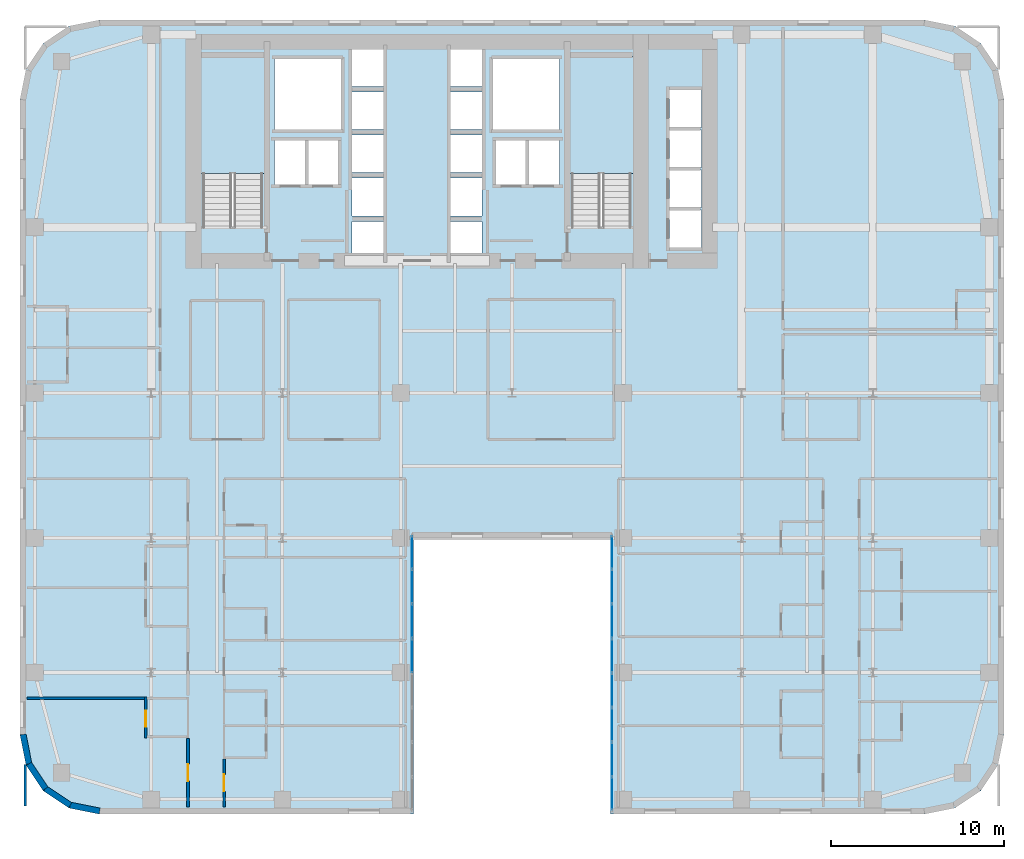
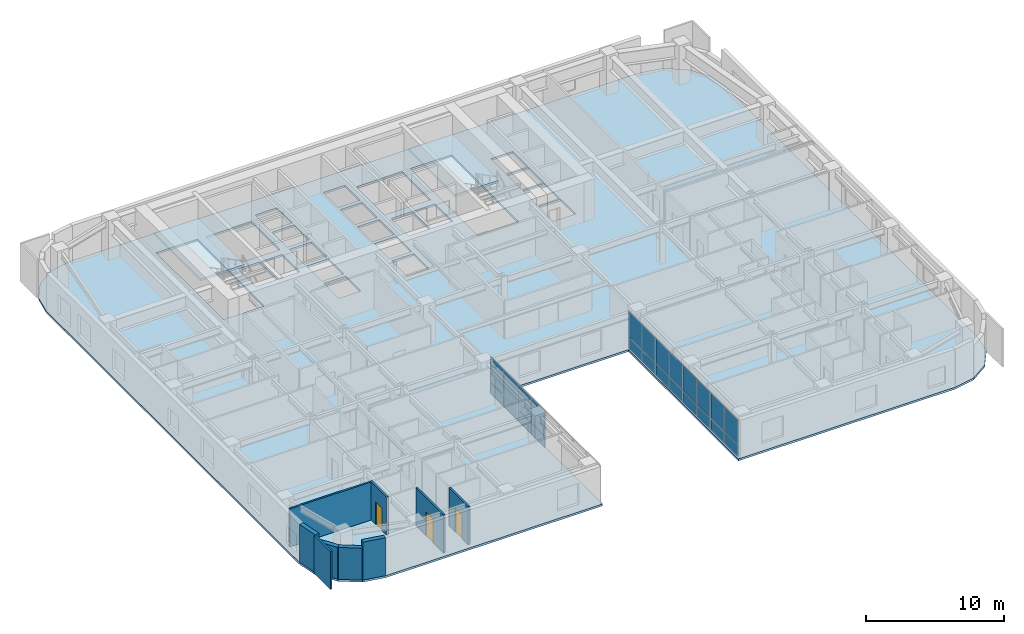
# One storey, part 9 of 17: 24 plates, 9 walls, 3 doors, 3 slabs, 3 openings, 4 elements without a shape of their own.
"""IFC4 building model written with IfcOpenShell, lengths in metres."""

from ifc_helpers import new_model, si_unit, direction, frame, frame_2d, origin, origin_2d, place, context, subcontext, project, spatial, polyline, rectangle, outline, extrude, source, transform, mapped, material, layer, layer_set, type_object, type_shapes, element, fill, aggregate, save


model = new_model("IFC4")

# Units and contexts
model_context = context("Model", 3, precision=1e-05, world=origin(), true_north=direction((0.0, 1.0)))
body_context = subcontext(model_context, "Body", "Model", "MODEL_VIEW")
ifc_project = project(units=[si_unit("LENGTHUNIT", "METRE"), si_unit("AREAUNIT", "SQUARE_METRE"), si_unit("VOLUMEUNIT", "CUBIC_METRE"), si_unit("PLANEANGLEUNIT", "RADIAN"), si_unit("MASSUNIT", "GRAM", prefix="KILO")], contexts=[model_context])

# Site, building, storey
site_placement = place(None, origin())
site = spatial("IfcSite", under=ifc_project, at=site_placement, CompositionType="ELEMENT")
building_placement = place(site_placement, origin())
building = spatial("IfcBuilding", under=site, at=building_placement, Name="Tolvann Quenvar Hotel", CompositionType="ELEMENT")
storey_placement = place(building_placement, frame((0.0, 0.0, 49.75)))
storey = spatial("IfcBuildingStorey", under=building, at=storey_placement, Name="L11", CompositionType="ELEMENT", Elevation=49.75)

# Stair, slab
ifc_material_1 = material(Name="Concrete N40 (40 MPa)", Category="concrete")
stair_type = type_object("IfcStairType", Name="STAIR", PredefinedType="HALF_TURN_STAIR", material=ifc_material_1)
stair_1_placement = place(storey_placement, origin())
stair_1 = element("IfcStair", 1, at=stair_1_placement, inside=storey, type_object=stair_type, Name="L11 ST-C1", PredefinedType="HALF_TURN_STAIR")
ifc_layer_1 = layer(ifc_material_1, 0.199951171875)
ifc_layer_set_1 = layer_set([ifc_layer_1], Name="Concrete N40 (40 MPa)")
slab_type_1 = type_object("IfcSlabType", Name="SLAB_LANDING", PredefinedType="LANDING", material=ifc_layer_set_1)
slab_1_placement = place(storey_placement, frame((0.0, 0.0, 1.574951171875)))
slab_1 = element("IfcSlab", 2, at=slab_1_placement, type_object=slab_type_1, Name="ST-C1 landing 1", PredefinedType="LANDING", context=body_context, shape_type="SweptSolid", body=[
    extrude(outline(polyline([(14.179931640625, 37.10498046875), (14.179931640625, 43.8798828125), (10.469970703125, 43.8798828125), (10.469970703125, 37.10498046875), (14.179931640625, 37.10498046875)])), origin(), (0.0, 0.0, 1.0), 0.199951171875),
])
aggregate(stair_1, [slab_1])

stair_2_placement = place(storey_placement, origin())
stair_2 = element("IfcStair", 3, at=stair_2_placement, inside=storey, type_object=stair_type, Name="L11 ST-C2", PredefinedType="HALF_TURN_STAIR")
slab_2_placement = place(storey_placement, frame((0.0, 0.0, 1.574951171875)))
slab_2 = element("IfcSlab", 4, at=slab_2_placement, type_object=slab_type_1, Name="ST-C2 landing 1", PredefinedType="LANDING", context=body_context, shape_type="SweptSolid", body=[
    extrude(outline(polyline([(35.530029296875, 37.10498046875), (35.530029296875, 43.8798828125), (31.820068359375, 43.8798828125), (31.820068359375, 37.10498046875), (35.530029296875, 37.10498046875)])), origin(), (0.0, 0.0, 1.0), 0.199951171875),
])
aggregate(stair_2, [slab_2])

# Slab
ifc_layer_2 = layer(ifc_material_1, 0.179931640625)
ifc_layer_set_2 = layer_set([ifc_layer_2], Name="Concrete N40 (40 MPa)")
slab_type_2 = type_object("IfcSlabType", Name="SLAB_TWR_180", PredefinedType="FLOOR", material=ifc_layer_set_2)
slab_3_placement = place(storey_placement, frame((0.0, 0.0, -0.179931640625)))
element("IfcSlab", 5, at=slab_3_placement, inside=storey, type_object=slab_type_2, Name="Level L11 Structural Floor Slab", PredefinedType="FLOOR", context=body_context, shape_type="SweptSolid", body=[
    extrude(outline(polyline([(0.0, 4.60009765625), (0.35009765625, 2.839599609375), (1.347412109375, 1.347412109375), (2.839599609375, 0.35009765625), (4.60009765625, 0.0), (22.800048828125, 0.0), (22.800048828125, 16.0), (34.199951171875, 16.0), (34.199951171875, 0.0), (52.39990234375, 0.0), (54.160400390625, 0.35009765625), (55.652587890625, 1.347412109375), (56.64990234375, 2.839599609375), (57.0, 4.60009765625), (57.0, 41.39990234375), (56.64990234375, 43.160400390625), (55.652587890625, 44.652587890625), (54.160400390625, 45.64990234375), (52.39990234375, 46.0), (4.60009765625, 46.0), (2.839599609375, 45.64990234375), (1.347412109375, 44.652587890625), (0.35009765625, 43.160400390625), (0.0, 41.39990234375), (0.0, 4.60009765625)]), holes=[polyline([(37.6298828125, 41.949951171875), (39.469970703125, 41.949951171875), (39.469970703125, 39.77001953125), (37.6298828125, 39.77001953125), (37.6298828125, 41.949951171875)]), polyline([(37.6298828125, 39.6298828125), (39.469970703125, 39.6298828125), (39.469970703125, 37.449951171875), (37.6298828125, 37.449951171875), (37.6298828125, 39.6298828125)]), polyline([(37.6298828125, 37.31005859375), (39.469970703125, 37.31005859375), (39.469970703125, 35.1298828125), (37.6298828125, 35.1298828125), (37.6298828125, 37.31005859375)]), polyline([(37.6298828125, 34.989990234375), (39.469970703125, 34.989990234375), (39.469970703125, 32.81005859375), (37.6298828125, 32.81005859375), (37.6298828125, 34.989990234375)]), polyline([(31.949951171875, 43.800048828125), (35.39990234375, 43.800048828125), (35.39990234375, 34.02490234375), (31.949951171875, 34.02490234375), (31.949951171875, 43.800048828125)]), polyline([(31.25, 39.02001953125), (31.25, 36.47998046875), (29.449951171875, 36.47998046875), (29.449951171875, 39.02001953125), (31.25, 39.02001953125)]), polyline([(31.25, 43.75), (31.25, 39.64990234375), (27.39990234375, 39.64990234375), (27.39990234375, 43.75), (31.25, 43.75)]), polyline([(27.574951171875, 39.02001953125), (29.324951171875, 39.02001953125), (29.324951171875, 36.47998046875), (27.574951171875, 36.47998046875), (27.574951171875, 39.02001953125)]), polyline([(26.77001953125, 36.840087890625), (26.77001953125, 34.659912109375), (24.929931640625, 34.659912109375), (24.929931640625, 36.840087890625), (26.77001953125, 36.840087890625)]), polyline([(26.77001953125, 44.340087890625), (26.77001953125, 42.159912109375), (24.929931640625, 42.159912109375), (24.929931640625, 44.340087890625), (26.77001953125, 44.340087890625)]), polyline([(26.77001953125, 41.840087890625), (26.77001953125, 39.659912109375), (24.929931640625, 39.659912109375), (24.929931640625, 41.840087890625), (26.77001953125, 41.840087890625)]), polyline([(26.77001953125, 39.340087890625), (26.77001953125, 37.159912109375), (24.929931640625, 37.159912109375), (24.929931640625, 39.340087890625), (26.77001953125, 39.340087890625)]), polyline([(24.929931640625, 34.340087890625), (26.77001953125, 34.340087890625), (26.77001953125, 32.159912109375), (24.929931640625, 32.159912109375), (24.929931640625, 34.340087890625)]), polyline([(21.070068359375, 44.340087890625), (21.070068359375, 42.159912109375), (19.22998046875, 42.159912109375), (19.22998046875, 44.340087890625), (21.070068359375, 44.340087890625)]), polyline([(19.22998046875, 41.840087890625), (21.070068359375, 41.840087890625), (21.070068359375, 39.659912109375), (19.22998046875, 39.659912109375), (19.22998046875, 41.840087890625)]), polyline([(21.070068359375, 39.340087890625), (21.070068359375, 37.159912109375), (19.22998046875, 37.159912109375), (19.22998046875, 39.340087890625), (21.070068359375, 39.340087890625)]), polyline([(19.22998046875, 36.840087890625), (21.070068359375, 36.840087890625), (21.070068359375, 34.659912109375), (19.22998046875, 34.659912109375), (19.22998046875, 36.840087890625)]), polyline([(19.22998046875, 34.340087890625), (21.070068359375, 34.340087890625), (21.070068359375, 32.159912109375), (19.22998046875, 32.159912109375), (19.22998046875, 34.340087890625)]), polyline([(18.60009765625, 43.75), (18.60009765625, 39.64990234375), (14.75, 39.64990234375), (14.75, 43.75), (18.60009765625, 43.75)]), polyline([(16.675048828125, 39.02001953125), (18.425048828125, 39.02001953125), (18.425048828125, 36.47998046875), (16.675048828125, 36.47998046875), (16.675048828125, 39.02001953125)]), polyline([(16.550048828125, 39.02001953125), (16.550048828125, 36.47998046875), (14.75, 36.47998046875), (14.75, 39.02001953125), (16.550048828125, 39.02001953125)]), polyline([(10.60009765625, 43.800048828125), (14.050048828125, 43.800048828125), (14.050048828125, 34.02490234375), (10.60009765625, 34.02490234375), (10.60009765625, 43.800048828125)])]), origin(), (0.0, 0.0, 1.0), 0.179931640625),
])

# Curtain wall, plate
ifc_material_2 = material(Name="Thermally broken anodised architectural aluminium 6063-T6 and laminated low-E glass", Category="aluminium")
ifc_layer_3 = layer(ifc_material_2, 0.179931640625)
ifc_layer_set_3 = layer_set([ifc_layer_3], Name="Thermally broken anodised architectural aluminium 6063-T6 and laminated low-E glass")
curtain_wall_type = type_object("IfcCurtainWallType", Name="CW_SYS_SLOT_03", PredefinedType="USERDEFINED", material=ifc_layer_set_3)
curtain_wall_1_placement = place(storey_placement, origin())
curtain_wall_1 = element("IfcCurtainWall", 6, at=curtain_wall_1_placement, inside=storey, type_object=curtain_wall_type, Name="Curtain Wall CW-SLOT-03 (CWR-L11-E05)", ObjectType="UNITISED CURTAIN WALL", PredefinedType="USERDEFINED")
ifc_material_3 = material(Name="Low-iron laminated double glazing with solar-control coating", Category="glass")
ifc_layer_4 = layer(ifc_material_3, 0.028076171875)
ifc_layer_set_4 = layer_set([ifc_layer_4], Name="Low-iron laminated double glazing with solar-control coating")
plate_type = type_object("IfcPlateType", Name="CW_PAN_VISION_28", PredefinedType="CURTAIN_PANEL", material=ifc_layer_set_4)
shared_shape_1 = source(origin(), body_context, "Body", "SweptSolid", [
    extrude(rectangle(XDim=1.89501953125, YDim=0.028076171875, at=origin_2d()), origin(), (0.0, 0.0, 1.0), 0.9599609375),
])
plate_1_placement = place(storey_placement, frame((22.7099609375, 15.157470703125, 0.06005859375), z_axis=(0.0, 0.0, 1.0), x_axis=(0.0, 1.0, 0.0)))
plate_1 = element("IfcPlate", 7, at=plate_1_placement, type_object=plate_type, Name="CW-SLOT-03 panel 8.1", PredefinedType="CURTAIN_PANEL", context=body_context, shape_type="MappedRepresentation", body=[
    mapped(shared_shape_1, transform((0.0, 0.0, 0.0), x_axis=(1.0, 0.0, 0.0), y_axis=(0.0, 1.0, 0.0), z_axis=(0.0, 0.0, 1.0), scale=1.0)),
])

# Curtain wall, plates
curtain_wall_2_placement = place(storey_placement, origin())
curtain_wall_2 = element("IfcCurtainWall", 8, at=curtain_wall_2_placement, inside=storey, type_object=curtain_wall_type, Name="Curtain Wall CW-SLOT-03 (CWR-L11-E07)", ObjectType="UNITISED CURTAIN WALL", PredefinedType="USERDEFINED")
plate_2_placement = place(storey_placement, frame((34.2900390625, 15.157470703125, 0.06005859375), z_axis=(0.0, 0.0, 1.0), x_axis=(0.0, -1.0, 0.0)))
plate_2 = element("IfcPlate", 9, at=plate_2_placement, type_object=plate_type, Name="CW-SLOT-03 panel 1.1", PredefinedType="CURTAIN_PANEL", context=body_context, shape_type="MappedRepresentation", body=[
    mapped(shared_shape_1, transform((0.0, 0.0, 0.0), x_axis=(1.0, 0.0, 0.0), y_axis=(0.0, 1.0, 0.0), z_axis=(0.0, 0.0, 1.0), scale=1.0)),
])
plate_3_placement = place(storey_placement, frame((34.2900390625, 1.1923828125, 0.06005859375), z_axis=(0.0, 0.0, 1.0), x_axis=(0.0, -1.0, 0.0)))
plate_3 = element("IfcPlate", 10, at=plate_3_placement, type_object=plate_type, Name="CW-SLOT-03 panel 8.1", PredefinedType="CURTAIN_PANEL", context=body_context, shape_type="MappedRepresentation", body=[
    mapped(shared_shape_1, transform((0.0, 0.0, 0.0), x_axis=(1.0, 0.0, 0.0), y_axis=(0.0, 1.0, 0.0), z_axis=(0.0, 0.0, 1.0), scale=1.0)),
])

# Plate
shared_shape_2 = source(origin(), body_context, "Body", "SweptSolid", [
    extrude(rectangle(XDim=1.89501953125, YDim=0.028076171875, at=origin_2d()), origin(), (0.0, 0.0, 1.0), 2.22998046875),
])
plate_4_placement = place(storey_placement, frame((22.7099609375, 15.157470703125, 1.080078125), z_axis=(0.0, 0.0, 1.0), x_axis=(0.0, 1.0, 0.0)))
plate_4 = element("IfcPlate", 11, at=plate_4_placement, type_object=plate_type, Name="CW-SLOT-03 panel 8.2", PredefinedType="CURTAIN_PANEL", context=body_context, shape_type="MappedRepresentation", body=[
    mapped(shared_shape_2, transform((0.0, 0.0, 0.0), x_axis=(1.0, 0.0, 0.0), y_axis=(0.0, 1.0, 0.0), z_axis=(0.0, 0.0, 1.0), scale=1.0)),
])

plate_5_placement = place(storey_placement, frame((34.2900390625, 15.157470703125, 1.080078125), z_axis=(0.0, 0.0, 1.0), x_axis=(0.0, -1.0, 0.0)))
plate_5 = element("IfcPlate", 12, at=plate_5_placement, type_object=plate_type, Name="CW-SLOT-03 panel 1.2", PredefinedType="CURTAIN_PANEL", context=body_context, shape_type="MappedRepresentation", body=[
    mapped(shared_shape_2, transform((0.0, 0.0, 0.0), x_axis=(1.0, 0.0, 0.0), y_axis=(0.0, 1.0, 0.0), z_axis=(0.0, 0.0, 1.0), scale=1.0)),
])

plate_6_placement = place(storey_placement, frame((34.2900390625, 1.1923828125, 1.080078125), z_axis=(0.0, 0.0, 1.0), x_axis=(0.0, -1.0, 0.0)))
plate_6 = element("IfcPlate", 13, at=plate_6_placement, type_object=plate_type, Name="CW-SLOT-03 panel 8.2", PredefinedType="CURTAIN_PANEL", context=body_context, shape_type="MappedRepresentation", body=[
    mapped(shared_shape_2, transform((0.0, 0.0, 0.0), x_axis=(1.0, 0.0, 0.0), y_axis=(0.0, 1.0, 0.0), z_axis=(0.0, 0.0, 1.0), scale=1.0)),
])

shared_shape_3 = source(origin(), body_context, "Body", "SweptSolid", [
    extrude(rectangle(XDim=1.929931640625, YDim=0.028076171875, at=origin_2d()), origin(), (0.0, 0.0, 1.0), 0.9599609375),
])
plate_7_placement = place(storey_placement, frame((22.7099609375, 9.175048828125, 0.06005859375), z_axis=(0.0, 0.0, 1.0), x_axis=(0.0, 1.0, 0.0)))
plate_7 = element("IfcPlate", 14, at=plate_7_placement, type_object=plate_type, Name="CW-SLOT-03 panel 5.1", PredefinedType="CURTAIN_PANEL", context=body_context, shape_type="MappedRepresentation", body=[
    mapped(shared_shape_3, transform((0.0, 0.0, 0.0), x_axis=(1.0, 0.0, 0.0), y_axis=(0.0, 1.0, 0.0), z_axis=(0.0, 0.0, 1.0), scale=1.0)),
])

plate_8_placement = place(storey_placement, frame((22.7099609375, 11.175048828125, 0.06005859375), z_axis=(0.0, 0.0, 1.0), x_axis=(0.0, 1.0, 0.0)))
plate_8 = element("IfcPlate", 15, at=plate_8_placement, type_object=plate_type, Name="CW-SLOT-03 panel 6.1", PredefinedType="CURTAIN_PANEL", context=body_context, shape_type="MappedRepresentation", body=[
    mapped(shared_shape_3, transform((0.0, 0.0, 0.0), x_axis=(1.0, 0.0, 0.0), y_axis=(0.0, 1.0, 0.0), z_axis=(0.0, 0.0, 1.0), scale=1.0)),
])

plate_9_placement = place(storey_placement, frame((22.7099609375, 13.175048828125, 0.06005859375), z_axis=(0.0, 0.0, 1.0), x_axis=(0.0, 1.0, 0.0)))
plate_9 = element("IfcPlate", 16, at=plate_9_placement, type_object=plate_type, Name="CW-SLOT-03 panel 7.1", PredefinedType="CURTAIN_PANEL", context=body_context, shape_type="MappedRepresentation", body=[
    mapped(shared_shape_3, transform((0.0, 0.0, 0.0), x_axis=(1.0, 0.0, 0.0), y_axis=(0.0, 1.0, 0.0), z_axis=(0.0, 0.0, 1.0), scale=1.0)),
])

plate_10_placement = place(storey_placement, frame((34.2900390625, 13.175048828125, 0.06005859375), z_axis=(0.0, 0.0, 1.0), x_axis=(0.0, -1.0, 0.0)))
plate_10 = element("IfcPlate", 17, at=plate_10_placement, type_object=plate_type, Name="CW-SLOT-03 panel 2.1", PredefinedType="CURTAIN_PANEL", context=body_context, shape_type="MappedRepresentation", body=[
    mapped(shared_shape_3, transform((0.0, 0.0, 0.0), x_axis=(1.0, 0.0, 0.0), y_axis=(0.0, 1.0, 0.0), z_axis=(0.0, 0.0, 1.0), scale=1.0)),
])

plate_11_placement = place(storey_placement, frame((34.2900390625, 11.175048828125, 0.06005859375), z_axis=(0.0, 0.0, 1.0), x_axis=(0.0, -1.0, 0.0)))
plate_11 = element("IfcPlate", 18, at=plate_11_placement, type_object=plate_type, Name="CW-SLOT-03 panel 3.1", PredefinedType="CURTAIN_PANEL", context=body_context, shape_type="MappedRepresentation", body=[
    mapped(shared_shape_3, transform((0.0, 0.0, 0.0), x_axis=(1.0, 0.0, 0.0), y_axis=(0.0, 1.0, 0.0), z_axis=(0.0, 0.0, 1.0), scale=1.0)),
])

plate_12_placement = place(storey_placement, frame((34.2900390625, 9.175048828125, 0.06005859375), z_axis=(0.0, 0.0, 1.0), x_axis=(0.0, -1.0, 0.0)))
plate_12 = element("IfcPlate", 19, at=plate_12_placement, type_object=plate_type, Name="CW-SLOT-03 panel 4.1", PredefinedType="CURTAIN_PANEL", context=body_context, shape_type="MappedRepresentation", body=[
    mapped(shared_shape_3, transform((0.0, 0.0, 0.0), x_axis=(1.0, 0.0, 0.0), y_axis=(0.0, 1.0, 0.0), z_axis=(0.0, 0.0, 1.0), scale=1.0)),
])

plate_13_placement = place(storey_placement, frame((34.2900390625, 7.175048828125, 0.06005859375), z_axis=(0.0, 0.0, 1.0), x_axis=(0.0, -1.0, 0.0)))
plate_13 = element("IfcPlate", 20, at=plate_13_placement, type_object=plate_type, Name="CW-SLOT-03 panel 5.1", PredefinedType="CURTAIN_PANEL", context=body_context, shape_type="MappedRepresentation", body=[
    mapped(shared_shape_3, transform((0.0, 0.0, 0.0), x_axis=(1.0, 0.0, 0.0), y_axis=(0.0, 1.0, 0.0), z_axis=(0.0, 0.0, 1.0), scale=1.0)),
])

plate_14_placement = place(storey_placement, frame((34.2900390625, 5.175048828125, 0.06005859375), z_axis=(0.0, 0.0, 1.0), x_axis=(0.0, -1.0, 0.0)))
plate_14 = element("IfcPlate", 21, at=plate_14_placement, type_object=plate_type, Name="CW-SLOT-03 panel 6.1", PredefinedType="CURTAIN_PANEL", context=body_context, shape_type="MappedRepresentation", body=[
    mapped(shared_shape_3, transform((0.0, 0.0, 0.0), x_axis=(1.0, 0.0, 0.0), y_axis=(0.0, 1.0, 0.0), z_axis=(0.0, 0.0, 1.0), scale=1.0)),
])

plate_15_placement = place(storey_placement, frame((34.2900390625, 3.175048828125, 0.06005859375), z_axis=(0.0, 0.0, 1.0), x_axis=(0.0, -1.0, 0.0)))
plate_15 = element("IfcPlate", 22, at=plate_15_placement, type_object=plate_type, Name="CW-SLOT-03 panel 7.1", PredefinedType="CURTAIN_PANEL", context=body_context, shape_type="MappedRepresentation", body=[
    mapped(shared_shape_3, transform((0.0, 0.0, 0.0), x_axis=(1.0, 0.0, 0.0), y_axis=(0.0, 1.0, 0.0), z_axis=(0.0, 0.0, 1.0), scale=1.0)),
])

shared_shape_4 = source(origin(), body_context, "Body", "SweptSolid", [
    extrude(rectangle(XDim=1.929931640625, YDim=0.028076171875, at=origin_2d()), origin(), (0.0, 0.0, 1.0), 2.22998046875),
])
type_shapes(plate_type, [shared_shape_1, shared_shape_2, shared_shape_3, shared_shape_4])
plate_16_placement = place(storey_placement, frame((22.7099609375, 9.175048828125, 1.080078125), z_axis=(0.0, 0.0, 1.0), x_axis=(0.0, 1.0, 0.0)))
plate_16 = element("IfcPlate", 23, at=plate_16_placement, type_object=plate_type, Name="CW-SLOT-03 panel 5.2", PredefinedType="CURTAIN_PANEL", context=body_context, shape_type="MappedRepresentation", body=[
    mapped(shared_shape_4, transform((0.0, 0.0, 0.0), x_axis=(1.0, 0.0, 0.0), y_axis=(0.0, 1.0, 0.0), z_axis=(0.0, 0.0, 1.0), scale=1.0)),
])

plate_17_placement = place(storey_placement, frame((22.7099609375, 11.175048828125, 1.080078125), z_axis=(0.0, 0.0, 1.0), x_axis=(0.0, 1.0, 0.0)))
plate_17 = element("IfcPlate", 24, at=plate_17_placement, type_object=plate_type, Name="CW-SLOT-03 panel 6.2", PredefinedType="CURTAIN_PANEL", context=body_context, shape_type="MappedRepresentation", body=[
    mapped(shared_shape_4, transform((0.0, 0.0, 0.0), x_axis=(1.0, 0.0, 0.0), y_axis=(0.0, 1.0, 0.0), z_axis=(0.0, 0.0, 1.0), scale=1.0)),
])

plate_18_placement = place(storey_placement, frame((22.7099609375, 13.175048828125, 1.080078125), z_axis=(0.0, 0.0, 1.0), x_axis=(0.0, 1.0, 0.0)))
plate_18 = element("IfcPlate", 25, at=plate_18_placement, type_object=plate_type, Name="CW-SLOT-03 panel 7.2", PredefinedType="CURTAIN_PANEL", context=body_context, shape_type="MappedRepresentation", body=[
    mapped(shared_shape_4, transform((0.0, 0.0, 0.0), x_axis=(1.0, 0.0, 0.0), y_axis=(0.0, 1.0, 0.0), z_axis=(0.0, 0.0, 1.0), scale=1.0)),
])

aggregate(curtain_wall_1, [plate_7, plate_16, plate_8, plate_17, plate_9, plate_18, plate_1, plate_4])

plate_19_placement = place(storey_placement, frame((34.2900390625, 13.175048828125, 1.080078125), z_axis=(0.0, 0.0, 1.0), x_axis=(0.0, -1.0, 0.0)))
plate_19 = element("IfcPlate", 26, at=plate_19_placement, type_object=plate_type, Name="CW-SLOT-03 panel 2.2", PredefinedType="CURTAIN_PANEL", context=body_context, shape_type="MappedRepresentation", body=[
    mapped(shared_shape_4, transform((0.0, 0.0, 0.0), x_axis=(1.0, 0.0, 0.0), y_axis=(0.0, 1.0, 0.0), z_axis=(0.0, 0.0, 1.0), scale=1.0)),
])

plate_20_placement = place(storey_placement, frame((34.2900390625, 11.175048828125, 1.080078125), z_axis=(0.0, 0.0, 1.0), x_axis=(0.0, -1.0, 0.0)))
plate_20 = element("IfcPlate", 27, at=plate_20_placement, type_object=plate_type, Name="CW-SLOT-03 panel 3.2", PredefinedType="CURTAIN_PANEL", context=body_context, shape_type="MappedRepresentation", body=[
    mapped(shared_shape_4, transform((0.0, 0.0, 0.0), x_axis=(1.0, 0.0, 0.0), y_axis=(0.0, 1.0, 0.0), z_axis=(0.0, 0.0, 1.0), scale=1.0)),
])

plate_21_placement = place(storey_placement, frame((34.2900390625, 9.175048828125, 1.080078125), z_axis=(0.0, 0.0, 1.0), x_axis=(0.0, -1.0, 0.0)))
plate_21 = element("IfcPlate", 28, at=plate_21_placement, type_object=plate_type, Name="CW-SLOT-03 panel 4.2", PredefinedType="CURTAIN_PANEL", context=body_context, shape_type="MappedRepresentation", body=[
    mapped(shared_shape_4, transform((0.0, 0.0, 0.0), x_axis=(1.0, 0.0, 0.0), y_axis=(0.0, 1.0, 0.0), z_axis=(0.0, 0.0, 1.0), scale=1.0)),
])

plate_22_placement = place(storey_placement, frame((34.2900390625, 7.175048828125, 1.080078125), z_axis=(0.0, 0.0, 1.0), x_axis=(0.0, -1.0, 0.0)))
plate_22 = element("IfcPlate", 29, at=plate_22_placement, type_object=plate_type, Name="CW-SLOT-03 panel 5.2", PredefinedType="CURTAIN_PANEL", context=body_context, shape_type="MappedRepresentation", body=[
    mapped(shared_shape_4, transform((0.0, 0.0, 0.0), x_axis=(1.0, 0.0, 0.0), y_axis=(0.0, 1.0, 0.0), z_axis=(0.0, 0.0, 1.0), scale=1.0)),
])

plate_23_placement = place(storey_placement, frame((34.2900390625, 5.175048828125, 1.080078125), z_axis=(0.0, 0.0, 1.0), x_axis=(0.0, -1.0, 0.0)))
plate_23 = element("IfcPlate", 30, at=plate_23_placement, type_object=plate_type, Name="CW-SLOT-03 panel 6.2", PredefinedType="CURTAIN_PANEL", context=body_context, shape_type="MappedRepresentation", body=[
    mapped(shared_shape_4, transform((0.0, 0.0, 0.0), x_axis=(1.0, 0.0, 0.0), y_axis=(0.0, 1.0, 0.0), z_axis=(0.0, 0.0, 1.0), scale=1.0)),
])

plate_24_placement = place(storey_placement, frame((34.2900390625, 3.175048828125, 1.080078125), z_axis=(0.0, 0.0, 1.0), x_axis=(0.0, -1.0, 0.0)))
plate_24 = element("IfcPlate", 31, at=plate_24_placement, type_object=plate_type, Name="CW-SLOT-03 panel 7.2", PredefinedType="CURTAIN_PANEL", context=body_context, shape_type="MappedRepresentation", body=[
    mapped(shared_shape_4, transform((0.0, 0.0, 0.0), x_axis=(1.0, 0.0, 0.0), y_axis=(0.0, 1.0, 0.0), z_axis=(0.0, 0.0, 1.0), scale=1.0)),
])

aggregate(curtain_wall_2, [plate_2, plate_5, plate_10, plate_19, plate_11, plate_20, plate_12, plate_21, plate_13, plate_22, plate_14, plate_23, plate_15, plate_24, plate_3, plate_6])

# Walls
ifc_material_4 = material(Name="Kiln-fired red and buff architectural clay brickwork and terracotta masonry", Category="masonry")
ifc_layer_5 = layer(ifc_material_4, 0.35009765625)
ifc_layer_set_5 = layer_set([ifc_layer_5], Name="Kiln-fired red and buff architectural clay brickwork and terracotta masonry")
wall_type_1 = type_object("IfcWallType", Name="WALL_EXT_BRICK_350", PredefinedType="SOLIDWALL", material=ifc_layer_set_5)
for number, where, z_axis, x_axis, name in (
    (32, (0.514892578125, 2.907958984375, 0.0), (0.0, 0.0, 1.0), (0.55554893791, -0.831483840845, 0.0), "Exterior Chicago Brick Wall L11-E01"),
    (33, (1.473388671875, 1.473388671875, 0.0), (0.0, 0.0, 1.0), (0.831483840845, -0.55554893791, 0.0), "Exterior Chicago Brick Wall L11-E02"),
):
    element("IfcWall", number, at=place(storey_placement, frame(where, z_axis=z_axis, x_axis=x_axis)), inside=storey, type_object=wall_type_1, Name=name, PredefinedType="SOLIDWALL", context=body_context, shape_type="SweptSolid", body=[
        extrude(rectangle(XDim=1.725341796875, YDim=0.35009765625, at=frame_2d((0.86279296875, 0.0))), origin(), (0.0, 0.0, 1.0), 2.83203125),
    ])
for number, where, z_axis, x_axis, name in (
    (34, (2.907958984375, 0.514892578125, 0.0), (0.0, 0.0, 1.0), (0.980800971659, -0.195011420161, 0.0), "Exterior Chicago Brick Wall L11-E03"),
    (35, (0.175048828125, 4.6171875, 0.0), (0.0, 0.0, 1.0), (0.195011420161, -0.980800971659, 0.0), "Exterior Chicago Brick Wall L11-E24"),
):
    element("IfcWall", number, at=place(storey_placement, frame(where, z_axis=z_axis, x_axis=x_axis)), inside=storey, type_object=wall_type_1, Name=name, PredefinedType="SOLIDWALL", context=body_context, shape_type="SweptSolid", body=[
        extrude(rectangle(XDim=1.74267578125, YDim=0.35009765625, at=frame_2d((0.871337890625, 0.0))), origin(), (0.0, 0.0, 1.0), 3.3701171875),
    ])

# Wall, opening, door
ifc_material_5 = material(Name="Acoustic twin-stud fire-rated gypsum plasterboard partition")
ifc_layer_6 = layer(ifc_material_5, 0.14990234375)
ifc_layer_set_6 = layer_set([ifc_layer_6], Name="Acoustic twin-stud fire-rated gypsum plasterboard partition")
wall_type_2 = type_object("IfcWallType", Name="WALL_PART_SUITE_150", PredefinedType="PARTITIONING", material=ifc_layer_set_6)
wall_1_placement = place(storey_placement, frame((7.280029296875, 4.39990234375, 0.0), z_axis=(0.0, 0.0, 1.0), x_axis=(0.0, 1.0, 0.0)))
wall_1 = element("IfcWall", 36, at=wall_1_placement, inside=storey, type_object=wall_type_2, Name="Interior Partition PT-SPC-L11-ENS-WO01-ENT", PredefinedType="PARTITIONING", context=body_context, shape_type="SweptSolid", body=[
    extrude(rectangle(XDim=2.39013671875, YDim=0.14990234375, at=frame_2d((1.195068359375, 0.0))), origin(), (0.0, 0.0, 1.0), 3.3701171875),
])
opening_1_placement = place(wall_1_placement, frame((0.6650390625, 0.0, 0.0)))
opening_1 = element("IfcOpeningElement", 37, at=opening_1_placement, cuts=wall_1, Name="Opening WD-01", PredefinedType="OPENING", context=body_context, shape_type="SweptSolid", body=[
    extrude(rectangle(XDim=0.919921875, YDim=2.010009765625, at=frame_2d((0.4599609375, 1.0048828125))), frame((0.0, 0.0849609375, 0.0), z_axis=(0.0, -1.0, 0.0), x_axis=(1.0, 0.0, 0.0)), (0.0, 0.0, 1.0), 0.169921875),
])
ifc_material_6 = material(Name="Solid-core American oak acoustic fire door leaf in steel frame", Category="steel")
door_type_1 = type_object("IfcDoorType", Name="DOOR_WC_920", OperationType="NOTDEFINED", PredefinedType="DOOR", material=ifc_material_6)
shared_shape_5 = source(origin(), body_context, "Body", "SweptSolid", [
    extrude(rectangle(XDim=0.919921875, YDim=2.010009765625, at=frame_2d((0.4599609375, 1.0048828125))), frame((0.0, 0.02490234375, 0.0), z_axis=(0.0, -1.0, 0.0), x_axis=(1.0, 0.0, 0.0)), (0.0, 0.0, 1.0), 0.050048828125),
])
type_shapes(door_type_1, [shared_shape_5])
door_1_placement = place(opening_1_placement, origin())
door_1 = element("IfcDoor", 38, at=door_1_placement, inside=storey, type_object=door_type_1, Name="Interior Door DOOR-SPC-L11-ENS-WO01", OperationType="SINGLE_SWING_RIGHT", OverallHeight=2.010009765625, OverallWidth=0.919921875, PredefinedType="DOOR", context=body_context, shape_type="MappedRepresentation", body=[
    mapped(shared_shape_5, transform((0.0, 0.0, 0.0), x_axis=(1.0, 0.0, 0.0), y_axis=(0.0, 1.0, 0.0), z_axis=(0.0, 0.0, 1.0), scale=1.0)),
])
fill(opening_1, door_1)

wall_2_placement = place(storey_placement, frame((9.72998046875, 0.405029296875, 0.0), z_axis=(0.0, 0.0, 1.0), x_axis=(0.0, 1.0, 0.0)))
wall_2 = element("IfcWall", 39, at=wall_2_placement, inside=storey, type_object=wall_type_2, Name="Interior Partition PT-SPC-L11-RM-WO01-ENT", PredefinedType="PARTITIONING", context=body_context, shape_type="SweptSolid", body=[
    extrude(rectangle(XDim=3.98486328125, YDim=0.14990234375, at=frame_2d((1.992431640625, 0.0))), origin(), (0.0, 0.0, 1.0), 3.3701171875),
])
opening_2_placement = place(wall_2_placement, frame((1.510009765625, 0.0, 0.0)))
opening_2 = element("IfcOpeningElement", 40, at=opening_2_placement, cuts=wall_2, Name="Opening SD-01", PredefinedType="OPENING", context=body_context, shape_type="SweptSolid", body=[
    extrude(rectangle(XDim=0.97998046875, YDim=2.1201171875, at=frame_2d((0.489990234375, 1.06005859375))), frame((0.0, 0.0849609375, 0.0), z_axis=(0.0, -1.0, 0.0), x_axis=(1.0, 0.0, 0.0)), (0.0, 0.0, 1.0), 0.169921875),
])
door_type_2 = type_object("IfcDoorType", Name="DOOR_SUITE_980", OperationType="NOTDEFINED", PredefinedType="DOOR", material=ifc_material_6)
shared_shape_6 = source(origin(), body_context, "Body", "SweptSolid", [
    extrude(rectangle(XDim=0.97998046875, YDim=2.1201171875, at=frame_2d((0.489990234375, 1.06005859375))), frame((0.0, 0.02490234375, 0.0), z_axis=(0.0, -1.0, 0.0), x_axis=(1.0, 0.0, 0.0)), (0.0, 0.0, 1.0), 0.050048828125),
])
type_shapes(door_type_2, [shared_shape_6])
door_2_placement = place(opening_2_placement, origin())
door_2 = element("IfcDoor", 41, at=door_2_placement, inside=storey, type_object=door_type_2, Name="Interior Door DOOR-SPC-L11-RM-WO01", OperationType="SINGLE_SWING_LEFT", OverallHeight=2.1201171875, OverallWidth=0.97998046875, PredefinedType="DOOR", context=body_context, shape_type="MappedRepresentation", body=[
    mapped(shared_shape_6, transform((0.0, 0.0, 0.0), x_axis=(1.0, 0.0, 0.0), y_axis=(0.0, 1.0, 0.0), z_axis=(0.0, 0.0, 1.0), scale=1.0)),
])
fill(opening_2, door_2)

# Walls
wall_3_placement = place(storey_placement, frame((0.405029296875, 6.719970703125, 0.0), z_axis=(0.0, 0.0, 1.0), x_axis=(1.0, 0.0, 0.0)))
element("IfcWall", 42, at=wall_3_placement, inside=storey, type_object=wall_type_2, Name="Interior Partition PT-SPC-L11-RM-WO01-E5", PredefinedType="PARTITIONING", context=body_context, shape_type="SweptSolid", body=[
    extrude(rectangle(XDim=6.85498046875, YDim=0.14990234375, at=frame_2d((3.427490234375, 0.0))), origin(), (0.0, 0.0, 1.0), 3.3701171875),
])
wall_4_placement = place(storey_placement, frame((0.300048828125, 0.47998046875, 0.0), z_axis=(0.0, 0.0, 1.0), x_axis=(0.0, 1.0, 0.0)))
element("IfcWall", 43, at=wall_4_placement, inside=storey, type_object=wall_type_2, Name="Interior Partition PT-SPC-L11-RM-WO01-E6", PredefinedType="PARTITIONING", context=body_context, shape_type="SweptSolid", body=[
    extrude(rectangle(XDim=2.385009765625, YDim=0.14990234375, at=frame_2d((1.1923828125, 0.0))), origin(), (0.0, 0.0, 1.0), 3.3701171875),
])

# Wall, opening, door
wall_5_placement = place(storey_placement, frame((11.820068359375, 0.405029296875, 0.0), z_axis=(0.0, 0.0, 1.0), x_axis=(0.0, 1.0, 0.0)))
wall_5 = element("IfcWall", 44, at=wall_5_placement, inside=storey, type_object=wall_type_2, Name="Interior Partition PT-SPC-L11-RM-WI01-ENT", PredefinedType="PARTITIONING", context=body_context, shape_type="SweptSolid", body=[
    extrude(rectangle(XDim=2.784912109375, YDim=0.14990234375, at=frame_2d((1.392578125, 0.0))), origin(), (0.0, 0.0, 1.0), 3.3701171875),
])
opening_3_placement = place(wall_5_placement, frame((0.909912109375, 0.0, 0.0)))
opening_3 = element("IfcOpeningElement", 45, at=opening_3_placement, cuts=wall_5, Name="Opening SD-01", PredefinedType="OPENING", context=body_context, shape_type="SweptSolid", body=[
    extrude(rectangle(XDim=0.97998046875, YDim=2.1201171875, at=frame_2d((0.489990234375, 1.06005859375))), frame((0.0, 0.0849609375, 0.0), z_axis=(0.0, -1.0, 0.0), x_axis=(1.0, 0.0, 0.0)), (0.0, 0.0, 1.0), 0.169921875),
])
door_3_placement = place(opening_3_placement, origin())
door_3 = element("IfcDoor", 46, at=door_3_placement, inside=storey, type_object=door_type_2, Name="Interior Door DOOR-SPC-L11-RM-WI01", OperationType="SINGLE_SWING_RIGHT", OverallHeight=2.1201171875, OverallWidth=0.97998046875, PredefinedType="DOOR", context=body_context, shape_type="MappedRepresentation", body=[
    mapped(shared_shape_6, transform((0.0, 0.0, 0.0), x_axis=(1.0, 0.0, 0.0), y_axis=(0.0, 1.0, 0.0), z_axis=(0.0, 0.0, 1.0), scale=1.0)),
])
fill(opening_3, door_3)

save(model, "model.ifc")
